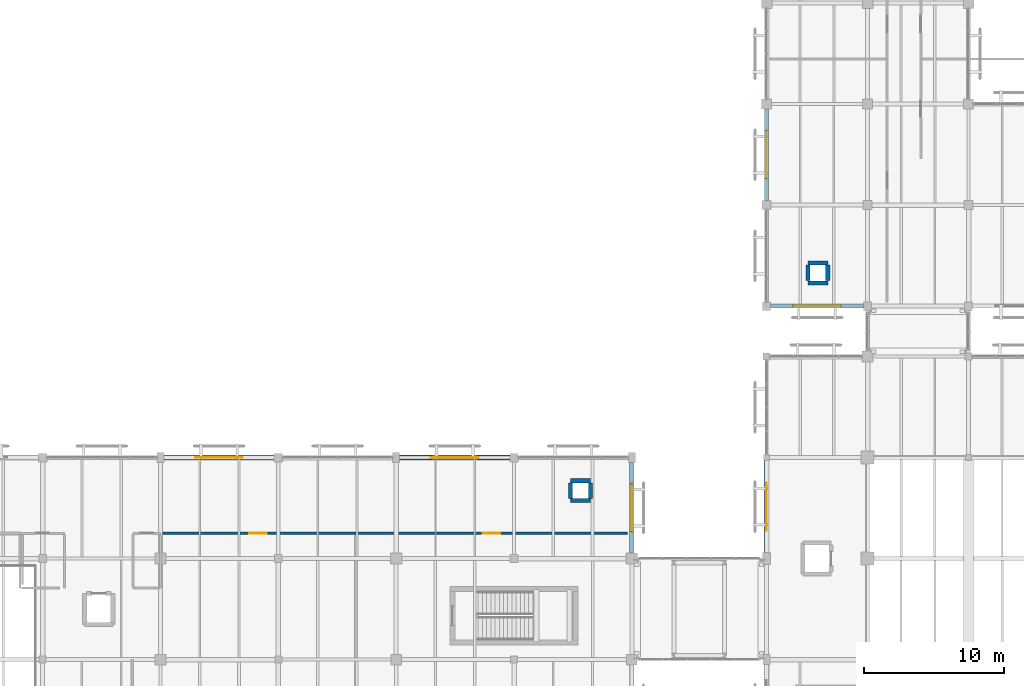
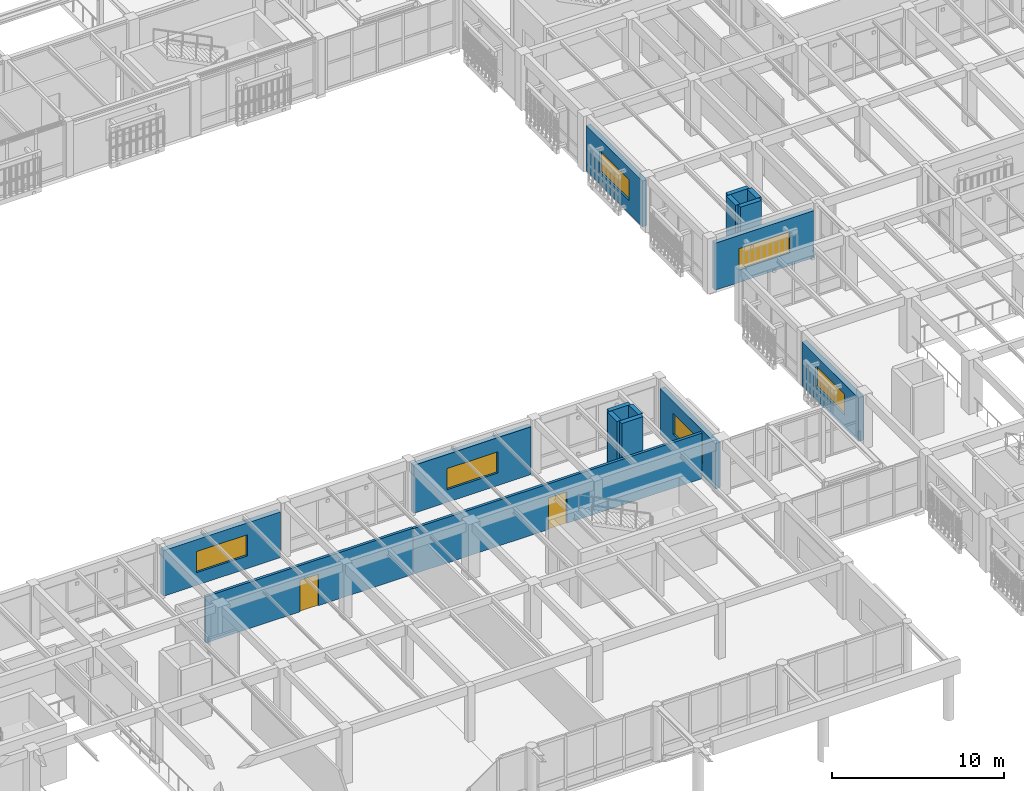
# One storey, part 132 of 170: 16 walls, 6 windows, 2 doors, 8 openings.
"""IFC4 building model written with IfcOpenShell, lengths in metres."""

from ifc_helpers import new_model, si_unit, direction, frame, frame_2d, origin, place, context, subcontext, project, spatial, rectangle, extrude, material, layer, layer_set, type_object, element, fill, save


model = new_model("IFC4")

# Units and contexts
model_context = context("Model", 3, precision=1e-05, world=origin(), true_north=direction((0.0, 1.0)))
body_context = subcontext(model_context, "Body", "Model", "MODEL_VIEW")
ifc_project = project(units=[si_unit("LENGTHUNIT", "METRE"), si_unit("AREAUNIT", "SQUARE_METRE"), si_unit("VOLUMEUNIT", "CUBIC_METRE"), si_unit("PLANEANGLEUNIT", "RADIAN"), si_unit("MASSUNIT", "GRAM", prefix="KILO")], contexts=[model_context])

# Site, building, storey
site_placement = place(None, origin())
site = spatial("IfcSite", under=ifc_project, at=site_placement, CompositionType="ELEMENT")
building_placement = place(site_placement, origin())
building = spatial("IfcBuilding", under=site, at=building_placement, Name="Mazaris Harbour Polytechnic", CompositionType="ELEMENT")
storey_placement = place(building_placement, frame((0.0, 0.0, 5.39990234375)))
storey = spatial("IfcBuildingStorey", under=building, at=storey_placement, Name="L01", CompositionType="ELEMENT", Elevation=5.39990234375)

# Wall, opening, door
ifc_material_1 = material(Name="Terracotta Block and Plaster", Category="masonry")
ifc_layer_1 = layer(ifc_material_1, 0.179931640625, Name="Terracotta Block and Plaster")
ifc_layer_set_1 = layer_set([ifc_layer_1], Name="Terracotta Block and Plaster")
wall_type_1 = type_object("IfcWallType", Name="Corridor Fire Partition 180", PredefinedType="PARTITIONING", material=ifc_layer_set_1)
wall_1_placement = place(storey_placement, frame((79.205078125, 30.60009765625, 0.0), z_axis=(0.0, 0.0, 1.0), x_axis=(1.0, 0.0, 0.0)))
wall_1 = element("IfcWall", 1, at=wall_1_placement, inside=storey, type_object=wall_type_1, Name="V3 L01 Partition 216", PredefinedType="PARTITIONING", context=body_context, shape_type="SweptSolid", body=[
    extrude(rectangle(XDim=13.89501953125, YDim=0.179931640625, at=frame_2d((6.947509765625, 0.0))), origin(), (0.0, 0.0, 1.0), 3.280029296875),
])
opening_1_placement = place(wall_1_placement, frame((6.33740234375, 0.0, 0.0)))
opening_1 = element("IfcOpeningElement", 2, at=opening_1_placement, cuts=wall_1, Name="Opening ID-10L", PredefinedType="OPENING", context=body_context, shape_type="SweptSolid", body=[
    extrude(rectangle(XDim=1.219970703125, YDim=2.25, at=frame_2d((0.60986328125, 1.125))), frame((0.0, 0.099853515625, 0.0), z_axis=(0.0, -1.0, 0.0), x_axis=(1.0, 0.0, 0.0)), (0.0, 0.0, 1.0), 0.199951171875),
])
ifc_material_2 = material(Name="Glulam Timber and Glass", Category="wood")
door_type_1 = type_object("IfcDoorType", Name="Library Commons Door LH 1220x2250", OperationType="SINGLE_SWING_LEFT", PredefinedType="DOOR", material=ifc_material_2)
door_1_placement = place(opening_1_placement, origin())
door_1 = element("IfcDoor", 3, at=door_1_placement, inside=storey, type_object=door_type_1, Name="ID-0099", OperationType="SINGLE_SWING_LEFT", OverallHeight=2.25, OverallWidth=1.219970703125, PredefinedType="DOOR", context=body_context, shape_type="SweptSolid", body=[
    extrude(rectangle(XDim=1.219970703125, YDim=2.25, at=frame_2d((0.60986328125, 1.125))), frame((0.0, 0.02490234375, 0.0), z_axis=(0.0, -1.0, 0.0), x_axis=(1.0, 0.0, 0.0)), (0.0, 0.0, 1.0), 0.050048828125),
])
fill(opening_1, door_1)

wall_2_placement = place(storey_placement, frame((93.10498046875, 30.60009765625, 0.0), z_axis=(0.0, 0.0, 1.0), x_axis=(1.0, 0.0, 0.0)))
wall_2 = element("IfcWall", 4, at=wall_2_placement, inside=storey, type_object=wall_type_1, Name="V3 L01 Partition 219", PredefinedType="PARTITIONING", context=body_context, shape_type="SweptSolid", body=[
    extrude(rectangle(XDim=19.39501953125, YDim=0.179931640625, at=frame_2d((9.697509765625, 0.0))), origin(), (0.0, 0.0, 1.0), 3.239990234375),
])
opening_2_placement = place(wall_2_placement, frame((9.077392578125, 0.0, 0.0)))
opening_2 = element("IfcOpeningElement", 5, at=opening_2_placement, cuts=wall_2, Name="Opening ID-10R", PredefinedType="OPENING", context=body_context, shape_type="SweptSolid", body=[
    extrude(rectangle(XDim=1.239990234375, YDim=2.25, at=frame_2d((0.6201171875, 1.125))), frame((0.0, 0.099853515625, 0.0), z_axis=(0.0, -1.0, 0.0), x_axis=(1.0, 0.0, 0.0)), (0.0, 0.0, 1.0), 0.199951171875),
])
ifc_material_3 = material(Name="Glulam Timber and Glass", Category="wood")
door_type_2 = type_object("IfcDoorType", Name="Library Commons Door RH 1240x2250", OperationType="SINGLE_SWING_RIGHT", PredefinedType="DOOR", material=ifc_material_3)
door_2_placement = place(opening_2_placement, origin())
door_2 = element("IfcDoor", 6, at=door_2_placement, inside=storey, type_object=door_type_2, Name="ID-0100", OperationType="SINGLE_SWING_RIGHT", OverallHeight=2.25, OverallWidth=1.239990234375, PredefinedType="DOOR", context=body_context, shape_type="SweptSolid", body=[
    extrude(rectangle(XDim=1.239990234375, YDim=2.25, at=frame_2d((0.6201171875, 1.125))), frame((0.0, 0.02490234375, 0.0), z_axis=(0.0, -1.0, 0.0), x_axis=(1.0, 0.0, 0.0)), (0.0, 0.0, 1.0), 0.050048828125),
])
fill(opening_2, door_2)

# Wall, opening, window
ifc_material_4 = material(Name="Algerian Buff Limestone and Mineral Wool", Category="masonry")
ifc_layer_2 = layer(ifc_material_4, 0.330078125, Name="Algerian Buff Limestone and Mineral Wool")
ifc_layer_set_2 = layer_set([ifc_layer_2], Name="Algerian Buff Limestone and Mineral Wool")
wall_type_2 = type_object("IfcWallType", Name="Limestone Cavity Wall 330", PredefinedType="STANDARD", material=ifc_layer_set_2)
wall_3_placement = place(storey_placement, frame((79.44189453125, 36.0, 0.0), z_axis=(0.0, 0.0, 1.0), x_axis=(1.0, 0.0, 0.0)))
wall_3 = element("IfcWall", 7, at=wall_3_placement, inside=storey, type_object=wall_type_2, Name="V3 L01 Exterior Wall 109", PredefinedType="STANDARD", context=body_context, shape_type="SweptSolid", body=[
    extrude(rectangle(XDim=7.8662109375, YDim=0.330078125, at=frame_2d((3.93310546875, 0.0))), origin(), (0.0, 0.0, 1.0), 3.239990234375),
])
opening_3_placement = place(wall_3_placement, frame((2.23291015625, 0.0, 0.89990234375)))
opening_3 = element("IfcOpeningElement", 8, at=opening_3_placement, cuts=wall_3, Name="Opening WN-16", PredefinedType="OPENING", context=body_context, shape_type="SweptSolid", body=[
    extrude(rectangle(XDim=3.39990234375, YDim=1.5, at=frame_2d((1.699951171875, 0.75))), frame((0.0, 0.175048828125, 0.0), z_axis=(0.0, -1.0, 0.0), x_axis=(1.0, 0.0, 0.0)), (0.0, 0.0, 1.0), 0.35009765625),
])
ifc_material_5 = material(Name="Thermally Broken Bronze Aluminium and Low-E Glass", Category="aluminium")
window_type = type_object("IfcWindowType", Name="Workshop Clerestory Ribbon 3400x1500", PartitioningType="DOUBLE_PANEL_VERTICAL", PredefinedType="WINDOW", material=ifc_material_5)
window_1_placement = place(opening_3_placement, origin())
window_1 = element("IfcWindow", 9, at=window_1_placement, inside=storey, type_object=window_type, Name="WN-0116", OverallHeight=1.5, OverallWidth=3.39990234375, PartitioningType="DOUBLE_PANEL_VERTICAL", PredefinedType="WINDOW", context=body_context, shape_type="SweptSolid", body=[
    extrude(rectangle(XDim=3.39990234375, YDim=1.5, at=frame_2d((1.699951171875, 0.75))), frame((0.0, 0.030029296875, 0.0), z_axis=(0.0, -1.0, 0.0), x_axis=(1.0, 0.0, 0.0)), (0.0, 0.0, 1.0), 0.06005859375),
])
fill(opening_3, window_1)

wall_4_placement = place(storey_placement, frame((96.241943359375, 36.0, 0.0), z_axis=(0.0, 0.0, 1.0), x_axis=(1.0, 0.0, 0.0)))
wall_4 = element("IfcWall", 10, at=wall_4_placement, inside=storey, type_object=wall_type_2, Name="V3 L01 Exterior Wall 110", PredefinedType="STANDARD", context=body_context, shape_type="SweptSolid", body=[
    extrude(rectangle(XDim=7.865966796875, YDim=0.330078125, at=frame_2d((3.93310546875, 0.0))), origin(), (0.0, 0.0, 1.0), 3.400146484375),
])
opening_4_placement = place(wall_4_placement, frame((2.23291015625, 0.0, 0.89990234375)))
opening_4 = element("IfcOpeningElement", 11, at=opening_4_placement, cuts=wall_4, Name="Opening WN-16", PredefinedType="OPENING", context=body_context, shape_type="SweptSolid", body=[
    extrude(rectangle(XDim=3.39990234375, YDim=1.5, at=frame_2d((1.699951171875, 0.75))), frame((0.0, 0.175048828125, 0.0), z_axis=(0.0, -1.0, 0.0), x_axis=(1.0, 0.0, 0.0)), (0.0, 0.0, 1.0), 0.35009765625),
])
window_2_placement = place(opening_4_placement, origin())
window_2 = element("IfcWindow", 12, at=window_2_placement, inside=storey, type_object=window_type, Name="WN-0117", OverallHeight=1.5, OverallWidth=3.39990234375, PartitioningType="DOUBLE_PANEL_VERTICAL", PredefinedType="WINDOW", context=body_context, shape_type="SweptSolid", body=[
    extrude(rectangle(XDim=3.39990234375, YDim=1.5, at=frame_2d((1.699951171875, 0.75))), frame((0.0, 0.030029296875, 0.0), z_axis=(0.0, -1.0, 0.0), x_axis=(1.0, 0.0, 0.0)), (0.0, 0.0, 1.0), 0.06005859375),
])
fill(opening_4, window_2)

wall_5_placement = place(storey_placement, frame((112.800048828125, 35.657958984375, 0.0), z_axis=(0.0, 0.0, 1.0), x_axis=(0.0, -1.0, 0.0)))
wall_5 = element("IfcWall", 13, at=wall_5_placement, inside=storey, type_object=wall_type_2, Name="V3 L01 Exterior Wall 116", PredefinedType="STANDARD", context=body_context, shape_type="SweptSolid", body=[
    extrude(rectangle(XDim=6.466064453125, YDim=0.330078125, at=frame_2d((3.23291015625, 0.0))), origin(), (0.0, 0.0, 1.0), 3.239990234375),
])
opening_5_placement = place(wall_5_placement, frame((1.532958984375, 0.0, 0.89990234375)))
opening_5 = element("IfcOpeningElement", 14, at=opening_5_placement, cuts=wall_5, Name="Opening WN-16", PredefinedType="OPENING", context=body_context, shape_type="SweptSolid", body=[
    extrude(rectangle(XDim=3.39990234375, YDim=1.5, at=frame_2d((1.699951171875, 0.75))), frame((0.0, 0.175048828125, 0.0), z_axis=(0.0, -1.0, 0.0), x_axis=(1.0, 0.0, 0.0)), (0.0, 0.0, 1.0), 0.35009765625),
])
window_3_placement = place(opening_5_placement, origin())
window_3 = element("IfcWindow", 15, at=window_3_placement, inside=storey, type_object=window_type, Name="WN-0123", OverallHeight=1.5, OverallWidth=3.39990234375, PartitioningType="DOUBLE_PANEL_VERTICAL", PredefinedType="WINDOW", context=body_context, shape_type="SweptSolid", body=[
    extrude(rectangle(XDim=3.39990234375, YDim=1.5, at=frame_2d((1.699951171875, 0.75))), frame((0.0, 0.030029296875, 0.0), z_axis=(0.0, -1.0, 0.0), x_axis=(1.0, 0.0, 0.0)), (0.0, 0.0, 1.0), 0.06005859375),
])
fill(opening_5, window_3)

ifc_material_6 = material(Name="Algerian Buff Limestone and Mineral Wool", Category="masonry")
ifc_layer_3 = layer(ifc_material_6, 0.31005859375, Name="Algerian Buff Limestone and Mineral Wool")
ifc_layer_set_3 = layer_set([ifc_layer_3], Name="Algerian Buff Limestone and Mineral Wool")
wall_type_3 = type_object("IfcWallType", Name="Limestone Studio Wall 310", PredefinedType="STANDARD", material=ifc_layer_set_3)
wall_6_placement = place(storey_placement, frame((129.30810546875, 46.800048828125, 0.0), z_axis=(0.0, 0.0, 1.0), x_axis=(-1.0, 0.0, 0.0)))
wall_6 = element("IfcWall", 16, at=wall_6_placement, inside=storey, type_object=wall_type_3, Name="V5 L01 Exterior Wall 311", PredefinedType="STANDARD", context=body_context, shape_type="SweptSolid", body=[
    extrude(rectangle(XDim=6.6162109375, YDim=0.31005859375, at=frame_2d((3.30810546875, 0.0))), origin(), (0.0, 0.0, 1.0), 3.340087890625),
])
opening_6_placement = place(wall_6_placement, frame((1.60791015625, 0.0, 0.89990234375)))
opening_6 = element("IfcOpeningElement", 17, at=opening_6_placement, cuts=wall_6, Name="Opening WN-16", PredefinedType="OPENING", context=body_context, shape_type="SweptSolid", body=[
    extrude(rectangle(XDim=3.39990234375, YDim=1.5, at=frame_2d((1.699951171875, 0.75))), frame((0.0, 0.1650390625, 0.0), z_axis=(0.0, -1.0, 0.0), x_axis=(1.0, 0.0, 0.0)), (0.0, 0.0, 1.0), 0.330078125),
])
window_4_placement = place(opening_6_placement, origin())
window_4 = element("IfcWindow", 18, at=window_4_placement, inside=storey, type_object=window_type, Name="WN-0364", OverallHeight=1.5, OverallWidth=3.39990234375, PartitioningType="DOUBLE_PANEL_VERTICAL", PredefinedType="WINDOW", context=body_context, shape_type="SweptSolid", body=[
    extrude(rectangle(XDim=3.39990234375, YDim=1.5, at=frame_2d((1.699951171875, 0.75))), frame((0.0, 0.030029296875, 0.0), z_axis=(0.0, -1.0, 0.0), x_axis=(1.0, 0.0, 0.0)), (0.0, 0.0, 1.0), 0.06005859375),
])
fill(opening_6, window_4)

wall_7_placement = place(storey_placement, frame((122.39990234375, 54.31689453125, 0.0), z_axis=(0.0, 0.0, 1.0), x_axis=(0.0, 1.0, 0.0)))
wall_7 = element("IfcWall", 19, at=wall_7_placement, inside=storey, type_object=wall_type_3, Name="V5 L01 Exterior Wall 320", PredefinedType="STANDARD", context=body_context, shape_type="SweptSolid", body=[
    extrude(rectangle(XDim=6.541015625, YDim=0.31005859375, at=frame_2d((3.2705078125, 0.0))), origin(), (0.0, 0.0, 1.0), 3.239990234375),
])
opening_7_placement = place(wall_7_placement, frame((1.570556640625, 0.0, 0.89990234375)))
opening_7 = element("IfcOpeningElement", 20, at=opening_7_placement, cuts=wall_7, Name="Opening WN-16", PredefinedType="OPENING", context=body_context, shape_type="SweptSolid", body=[
    extrude(rectangle(XDim=3.39990234375, YDim=1.5, at=frame_2d((1.699951171875, 0.75))), frame((0.0, 0.1650390625, 0.0), z_axis=(0.0, -1.0, 0.0), x_axis=(1.0, 0.0, 0.0)), (0.0, 0.0, 1.0), 0.330078125),
])
window_5_placement = place(opening_7_placement, origin())
window_5 = element("IfcWindow", 21, at=window_5_placement, inside=storey, type_object=window_type, Name="WN-0373", OverallHeight=1.5, OverallWidth=3.39990234375, PartitioningType="DOUBLE_PANEL_VERTICAL", PredefinedType="WINDOW", context=body_context, shape_type="SweptSolid", body=[
    extrude(rectangle(XDim=3.39990234375, YDim=1.5, at=frame_2d((1.699951171875, 0.75))), frame((0.0, 0.030029296875, 0.0), z_axis=(0.0, -1.0, 0.0), x_axis=(1.0, 0.0, 0.0)), (0.0, 0.0, 1.0), 0.06005859375),
])
fill(opening_7, window_5)

ifc_material_7 = material(Name="Algerian Buff Limestone and Concrete C30/37", Category="masonry")
ifc_layer_4 = layer(ifc_material_7, 0.344970703125, Name="Algerian Buff Limestone and Concrete C30/37")
ifc_layer_set_4 = layer_set([ifc_layer_4], Name="Algerian Buff Limestone and Concrete C30/37")
wall_type_4 = type_object("IfcWallType", Name="Pavilion Gable Wall 345", PredefinedType="STANDARD", material=ifc_layer_set_4)
wall_8_placement = place(storey_placement, frame((122.39990234375, 29.217041015625, 0.0), z_axis=(0.0, 0.0, 1.0), x_axis=(0.0, 1.0, 0.0)))
wall_8 = element("IfcWall", 22, at=wall_8_placement, inside=storey, type_object=wall_type_4, Name="V2 L01 Exterior Wall 61", PredefinedType="STANDARD", context=body_context, shape_type="SweptSolid", body=[
    extrude(rectangle(XDim=6.56591796875, YDim=0.344970703125, at=frame_2d((3.282958984375, 0.0))), origin(), (0.0, 0.0, 1.0), 3.110107421875),
])
opening_8_placement = place(wall_8_placement, frame((1.5830078125, 0.0, 0.89990234375)))
opening_8 = element("IfcOpeningElement", 23, at=opening_8_placement, cuts=wall_8, Name="Opening WN-16", PredefinedType="OPENING", context=body_context, shape_type="SweptSolid", body=[
    extrude(rectangle(XDim=3.39990234375, YDim=1.5, at=frame_2d((1.699951171875, 0.75))), frame((0.0, 0.182373046875, 0.0), z_axis=(0.0, -1.0, 0.0), x_axis=(1.0, 0.0, 0.0)), (0.0, 0.0, 1.0), 0.364990234375),
])
window_6_placement = place(opening_8_placement, origin())
window_6 = element("IfcWindow", 24, at=window_6_placement, inside=storey, type_object=window_type, Name="WN-0052", OverallHeight=1.5, OverallWidth=3.39990234375, PartitioningType="DOUBLE_PANEL_VERTICAL", PredefinedType="WINDOW", context=body_context, shape_type="SweptSolid", body=[
    extrude(rectangle(XDim=3.39990234375, YDim=1.5, at=frame_2d((1.699951171875, 0.75))), frame((0.0, 0.030029296875, 0.0), z_axis=(0.0, -1.0, 0.0), x_axis=(1.0, 0.0, 0.0)), (0.0, 0.0, 1.0), 0.06005859375),
])
fill(opening_8, window_6)

# Walls
ifc_material_8 = material(Name="Concrete C40/50", Category="concrete")
ifc_layer_5 = layer(ifc_material_8, 0.300048828125, Name="Concrete C40/50")
ifc_layer_set_5 = layer_set([ifc_layer_5], Name="Concrete C40/50")
wall_type_5 = type_object("IfcWallType", Name="RC Lift Shaft Wall 300", PredefinedType="SHEAR", material=ifc_layer_set_5)
wall_9_placement = place(storey_placement, frame((108.429931640625, 32.929931640625, 0.0), z_axis=(0.0, 0.0, 1.0), x_axis=(1.0, 0.0, 0.0)))
element("IfcWall", 25, at=wall_9_placement, inside=storey, type_object=wall_type_5, Name="V3 L01 Riser Enclosure Wall 2-1", PredefinedType="SHEAR", context=body_context, shape_type="SweptSolid", body=[
    extrude(rectangle(XDim=1.420166015625, YDim=0.300048828125, at=frame_2d((0.7099609375, 0.0))), origin(), (0.0, 0.0, 1.0), 3.960205078125),
])
wall_10_placement = place(storey_placement, frame((109.85009765625, 33.090087890625, 0.0), z_axis=(0.0, 0.0, 1.0), x_axis=(0.0, 1.0, 0.0)))
element("IfcWall", 26, at=wall_10_placement, inside=storey, type_object=wall_type_5, Name="V3 L01 Riser Enclosure Wall 2-2", PredefinedType="SHEAR", context=body_context, shape_type="SweptSolid", body=[
    extrude(rectangle(XDim=1.099853515625, YDim=0.300048828125, at=frame_2d((0.5498046875, 0.0))), origin(), (0.0, 0.0, 1.0), 3.960205078125),
])
wall_11_placement = place(storey_placement, frame((109.85009765625, 34.35009765625, 0.0), z_axis=(0.0, 0.0, 1.0), x_axis=(-1.0, 0.0, 0.0)))
element("IfcWall", 27, at=wall_11_placement, inside=storey, type_object=wall_type_5, Name="V3 L01 Riser Enclosure Wall 2-3", PredefinedType="SHEAR", context=body_context, shape_type="SweptSolid", body=[
    extrude(rectangle(XDim=1.420166015625, YDim=0.300048828125, at=frame_2d((0.7099609375, 0.0))), origin(), (0.0, 0.0, 1.0), 3.960205078125),
])
wall_12_placement = place(storey_placement, frame((108.429931640625, 34.18994140625, 0.0), z_axis=(0.0, 0.0, 1.0), x_axis=(0.0, -1.0, 0.0)))
element("IfcWall", 28, at=wall_12_placement, inside=storey, type_object=wall_type_5, Name="V3 L01 Riser Enclosure Wall 2-4", PredefinedType="SHEAR", context=body_context, shape_type="SweptSolid", body=[
    extrude(rectangle(XDim=1.099853515625, YDim=0.300048828125, at=frame_2d((0.5498046875, 0.0))), origin(), (0.0, 0.0, 1.0), 3.960205078125),
])
wall_13_placement = place(storey_placement, frame((125.35009765625, 48.449951171875, 0.0), z_axis=(0.0, 0.0, 1.0), x_axis=(1.0, 0.0, 0.0)))
element("IfcWall", 29, at=wall_13_placement, inside=storey, type_object=wall_type_5, Name="V5 L01 Riser Enclosure Wall 1-1", PredefinedType="SHEAR", context=body_context, shape_type="SweptSolid", body=[
    extrude(rectangle(XDim=1.419921875, YDim=0.300048828125, at=frame_2d((0.7099609375, 0.0))), origin(), (0.0, 0.0, 1.0), 3.960205078125),
])
wall_14_placement = place(storey_placement, frame((126.77001953125, 48.610107421875, 0.0), z_axis=(0.0, 0.0, 1.0), x_axis=(0.0, 1.0, 0.0)))
element("IfcWall", 30, at=wall_14_placement, inside=storey, type_object=wall_type_5, Name="V5 L01 Riser Enclosure Wall 1-2", PredefinedType="SHEAR", context=body_context, shape_type="SweptSolid", body=[
    extrude(rectangle(XDim=1.099853515625, YDim=0.300048828125, at=frame_2d((0.5498046875, 0.0))), origin(), (0.0, 0.0, 1.0), 3.960205078125),
])
wall_15_placement = place(storey_placement, frame((126.77001953125, 49.8701171875, 0.0), z_axis=(0.0, 0.0, 1.0), x_axis=(-1.0, 0.0, 0.0)))
element("IfcWall", 31, at=wall_15_placement, inside=storey, type_object=wall_type_5, Name="V5 L01 Riser Enclosure Wall 1-3", PredefinedType="SHEAR", context=body_context, shape_type="SweptSolid", body=[
    extrude(rectangle(XDim=1.419921875, YDim=0.300048828125, at=frame_2d((0.7099609375, 0.0))), origin(), (0.0, 0.0, 1.0), 3.960205078125),
])
wall_16_placement = place(storey_placement, frame((125.35009765625, 49.7099609375, 0.0), z_axis=(0.0, 0.0, 1.0), x_axis=(0.0, -1.0, 0.0)))
element("IfcWall", 32, at=wall_16_placement, inside=storey, type_object=wall_type_5, Name="V5 L01 Riser Enclosure Wall 1-4", PredefinedType="SHEAR", context=body_context, shape_type="SweptSolid", body=[
    extrude(rectangle(XDim=1.099853515625, YDim=0.300048828125, at=frame_2d((0.5498046875, 0.0))), origin(), (0.0, 0.0, 1.0), 3.960205078125),
])

save(model, "model.ifc")
